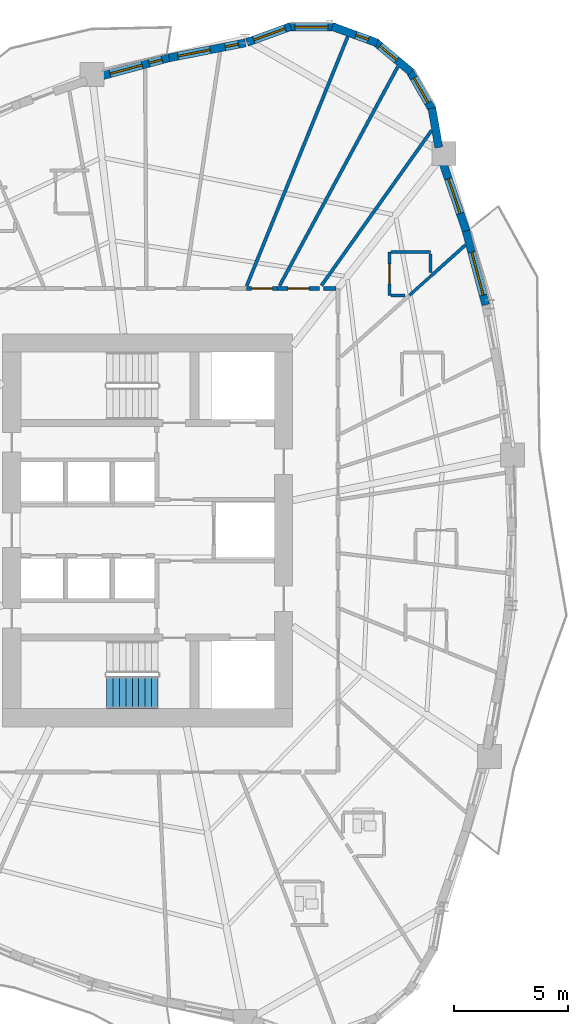
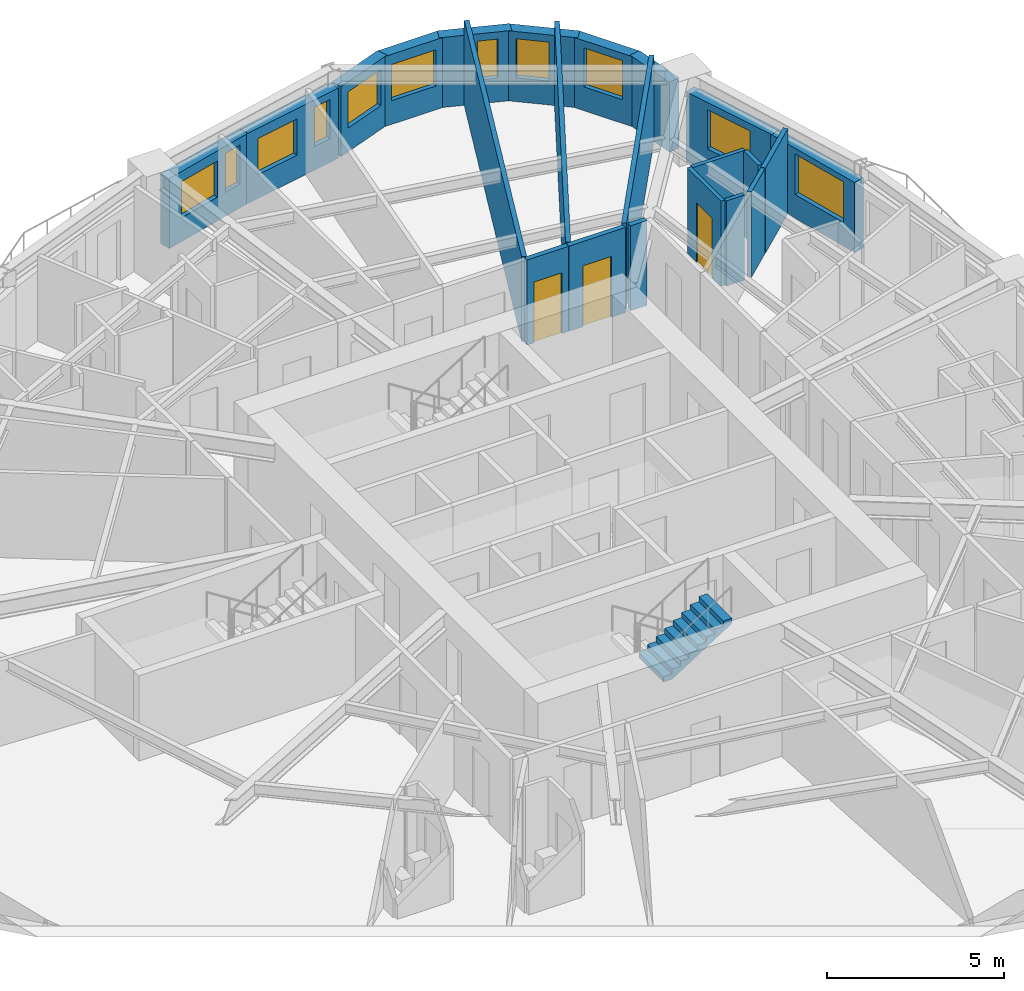
# One storey, part 9 of 14: 22 walls, 11 windows, 3 doors, 1 stair flight, 14 openings, 1 element without a shape of its own.
"""IFC4 building model written with IfcOpenShell, lengths in metres."""

from ifc_helpers import new_model, si_unit, direction, frame, frame_2d, origin, place, context, subcontext, project, spatial, polyline, rectangle, outline, extrude, source, transform, mapped, material, layer, layer_set, type_object, element, fill, aggregate, save


model = new_model("IFC4")

# Units and contexts
model_context = context("Model", 3, precision=1e-05, world=origin(), true_north=direction((0.0, 1.0)))
body_context = subcontext(model_context, "Body", "Model", "MODEL_VIEW")
ifc_project = project(units=[si_unit("LENGTHUNIT", "METRE"), si_unit("AREAUNIT", "SQUARE_METRE"), si_unit("VOLUMEUNIT", "CUBIC_METRE"), si_unit("PLANEANGLEUNIT", "RADIAN"), si_unit("MASSUNIT", "GRAM", prefix="KILO")], contexts=[model_context])

# Site, building, storey
site_placement = place(None, origin())
site = spatial("IfcSite", under=ifc_project, at=site_placement, CompositionType="ELEMENT")
building_placement = place(site_placement, origin())
building = spatial("IfcBuilding", under=site, at=building_placement, Name="Qafzar Sky-Pleat Residences", CompositionType="ELEMENT")
storey_placement = place(building_placement, frame((0.0, 0.0, 39.800048828125)))
storey = spatial("IfcBuildingStorey", under=building, at=storey_placement, Name="L11", CompositionType="ELEMENT", Elevation=39.800048828125)

# Wall, opening, door
ifc_material_1 = material(Name="Acoustic gypsum plasterboard partition", Category="gypsum")
ifc_layer_1 = layer(ifc_material_1, 0.159912109375)
ifc_layer_set_1 = layer_set([ifc_layer_1], Name="Acoustic gypsum plasterboard partition")
wall_type_1 = type_object("IfcWallType", Name="PART-COR-160", PredefinedType="PARTITIONING", material=ifc_layer_set_1)
wall_1_placement = place(storey_placement, frame((36.0419921875, 36.580078125, 0.0), z_axis=(0.0, 0.0, 1.0), x_axis=(1.0, 0.0, 0.0)))
wall_1 = element("IfcWall", 1, at=wall_1_placement, inside=storey, type_object=wall_type_1, Name="L11 Partition Wall PART-L11-PW-029", PredefinedType="PARTITIONING", context=body_context, shape_type="SweptSolid", body=[
    extrude(rectangle(XDim=1.840087890625, YDim=0.159912109375, at=frame_2d((0.919921875, 0.0))), origin(), (0.0, 0.0, 1.0), 2.93994140625),
])
opening_1_placement = place(wall_1_placement, frame((0.45947265625, 0.0, 0.0)))
opening_1 = element("IfcOpeningElement", 2, at=opening_1_placement, cuts=wall_1, Name="Opening ID-04", PredefinedType="OPENING", context=body_context, shape_type="SweptSolid", body=[
    extrude(rectangle(XDim=0.919921875, YDim=2.10009765625, at=frame_2d((0.4599609375, 1.050048828125))), frame((0.0, 0.08984375, 0.0), z_axis=(0.0, -1.0, 0.0), x_axis=(1.0, 0.0, 0.0)), (0.0, 0.0, 1.0), 0.179931640625),
])
ifc_material_2 = material(Name="Timber-faced fire door", Category="wood")
door_type_1 = type_object("IfcDoorType", Name="DR-BED-920", OperationType="NOTDEFINED", PredefinedType="DOOR", material=ifc_material_2)
shared_shape_1 = source(origin(), body_context, "Body", "SweptSolid", [
    extrude(rectangle(XDim=0.919921875, YDim=2.10009765625, at=frame_2d((0.4599609375, 1.050048828125))), frame((0.0, 0.02490234375, 0.0), z_axis=(0.0, -1.0, 0.0), x_axis=(1.0, 0.0, 0.0)), (0.0, 0.0, 1.0), 0.050048828125),
])
door_1_placement = place(opening_1_placement, origin())
door_1 = element("IfcDoor", 3, at=door_1_placement, inside=storey, type_object=door_type_1, Name="L11 Co-Living Bedroom 10 Door", OperationType="SINGLE_SWING_RIGHT", OverallHeight=2.10009765625, OverallWidth=0.919921875, PredefinedType="DOOR", context=body_context, shape_type="MappedRepresentation", body=[
    mapped(shared_shape_1, transform((0.0, 0.0, 0.0), x_axis=(1.0, 0.0, 0.0), y_axis=(0.0, 1.0, 0.0), z_axis=(0.0, 0.0, 1.0), scale=1.0)),
])
fill(opening_1, door_1)

wall_2_placement = place(storey_placement, frame((34.6708984375, 36.580078125, 0.0), z_axis=(0.0, 0.0, 1.0), x_axis=(1.0, 0.0, 0.0)))
wall_2 = element("IfcWall", 4, at=wall_2_placement, inside=storey, type_object=wall_type_1, Name="L11 Partition Wall PART-L11-PW-034", PredefinedType="PARTITIONING", context=body_context, shape_type="SweptSolid", body=[
    extrude(rectangle(XDim=1.356201171875, YDim=0.159912109375, at=frame_2d((0.67822265625, 0.0))), origin(), (0.0, 0.0, 1.0), 2.93994140625),
])
opening_2_placement = place(wall_2_placement, frame((0.218017578125, 0.0, 0.0)))
opening_2 = element("IfcOpeningElement", 5, at=opening_2_placement, cuts=wall_2, Name="Opening ID-04", PredefinedType="OPENING", context=body_context, shape_type="SweptSolid", body=[
    extrude(rectangle(XDim=0.919921875, YDim=2.10009765625, at=frame_2d((0.4599609375, 1.050048828125))), frame((0.0, 0.08984375, 0.0), z_axis=(0.0, -1.0, 0.0), x_axis=(1.0, 0.0, 0.0)), (0.0, 0.0, 1.0), 0.179931640625),
])
door_2_placement = place(opening_2_placement, origin())
door_2 = element("IfcDoor", 6, at=door_2_placement, inside=storey, type_object=door_type_1, Name="L11 Co-Living Bedroom 9 Door", OperationType="SINGLE_SWING_LEFT", OverallHeight=2.10009765625, OverallWidth=0.919921875, PredefinedType="DOOR", context=body_context, shape_type="MappedRepresentation", body=[
    mapped(shared_shape_1, transform((0.0, 0.0, 0.0), x_axis=(1.0, 0.0, 0.0), y_axis=(0.0, 1.0, 0.0), z_axis=(0.0, 0.0, 1.0), scale=1.0)),
])
fill(opening_2, door_2)

# Walls
wall_3_placement = place(storey_placement, frame((38.05078125, 36.580078125, 0.0), z_axis=(0.0, 0.0, 1.0), x_axis=(1.0, 0.0, 0.0)))
element("IfcWall", 7, at=wall_3_placement, inside=storey, type_object=wall_type_1, Name="L11 Partition Wall PART-L11-PW-105", PredefinedType="PARTITIONING", context=body_context, shape_type="SweptSolid", body=[
    extrude(rectangle(XDim=0.541259765625, YDim=0.159912109375, at=frame_2d((0.2705078125, 0.0))), origin(), (0.0, 0.0, 1.0), 2.93994140625),
])
ifc_layer_2 = layer(ifc_material_1, 0.14501953125)
ifc_layer_set_2 = layer_set([ifc_layer_2], Name="Acoustic gypsum plasterboard partition")
wall_type_2 = type_object("IfcWallType", Name="PART-UNIT-145", PredefinedType="PARTITIONING", material=ifc_layer_set_2)
wall_4_placement = place(storey_placement, frame((34.685546875, 36.694580078125, 0.0), z_axis=(0.0, 0.0, 1.0), x_axis=(0.375735926904, 0.926726773776, 0.0)))
element("IfcWall", 8, at=wall_4_placement, inside=storey, type_object=wall_type_2, Name="L11 Partition Wall PART-L11-PW-036", PredefinedType="PARTITIONING", context=body_context, shape_type="SweptSolid", body=[
    extrude(rectangle(XDim=11.7685546875, YDim=0.14501953125, at=frame_2d((5.88427734375, 0.0))), origin(), (0.0, 0.0, 1.0), 2.93994140625),
])
wall_5_placement = place(storey_placement, frame((36.12451171875, 36.701416015625, 0.0), z_axis=(0.0, 0.0, 1.0), x_axis=(0.474948586069, 0.880013545686, 0.0)))
element("IfcWall", 9, at=wall_5_placement, inside=storey, type_object=wall_type_2, Name="L11 Partition Wall PART-L11-PW-038", PredefinedType="PARTITIONING", context=body_context, shape_type="SweptSolid", body=[
    extrude(rectangle(XDim=10.889404296875, YDim=0.14501953125, at=frame_2d((5.44482421875, 0.0))), origin(), (0.0, 0.0, 1.0), 2.93994140625),
])
wall_6_placement = place(storey_placement, frame((37.955078125, 36.70849609375, 0.0), z_axis=(0.0, 0.0, 1.0), x_axis=(0.578991718582, 0.81533342248, 0.0)))
element("IfcWall", 10, at=wall_6_placement, inside=storey, type_object=wall_type_2, Name="L11 Partition Wall PART-L11-PW-044", PredefinedType="PARTITIONING", context=body_context, shape_type="SweptSolid", body=[
    extrude(rectangle(XDim=8.324951171875, YDim=0.14501953125, at=frame_2d((4.16259765625, 0.0))), origin(), (0.0, 0.0, 1.0), 2.93994140625),
])
wall_7_placement = place(storey_placement, frame((42.73388671875, 37.114013671875, 0.0), z_axis=(0.0, 0.0, 1.0), x_axis=(0.743962922365, 0.668220899214, 0.0)))
element("IfcWall", 11, at=wall_7_placement, inside=storey, type_object=wall_type_2, Name="L11 Partition Wall PART-L11-PW-069", PredefinedType="PARTITIONING", context=body_context, shape_type="SweptSolid", body=[
    extrude(rectangle(XDim=2.050048828125, YDim=0.14501953125, at=frame_2d((1.02490234375, 0.0))), origin(), (0.0, 0.0, 1.0), 2.93994140625),
])

# Wall, opening, door
ifc_material_3 = material(Name="Moisture-resistant gypsum partition", Category="gypsum")
ifc_layer_3 = layer(ifc_material_3, 0.1298828125)
ifc_layer_set_3 = layer_set([ifc_layer_3], Name="Moisture-resistant gypsum partition")
wall_type_3 = type_object("IfcWallType", Name="PART-WET-130", PredefinedType="PARTITIONING", material=ifc_layer_set_3)
wall_8_placement = place(storey_placement, frame((40.93408203125, 38.172119140625, 0.0), z_axis=(0.0, 0.0, 1.0), x_axis=(0.0, -1.0, 0.0)))
wall_8 = element("IfcWall", 12, at=wall_8_placement, inside=storey, type_object=wall_type_3, Name="L11 Partition Wall PART-L11-PW-025", PredefinedType="PARTITIONING", context=body_context, shape_type="SweptSolid", body=[
    extrude(rectangle(XDim=1.900146484375, YDim=0.1298828125, at=frame_2d((0.9501953125, 0.0))), origin(), (0.0, 0.0, 1.0), 2.93994140625),
])
opening_3_placement = place(wall_8_placement, frame((0.510009765625, 0.0, 0.0)))
opening_3 = element("IfcOpeningElement", 13, at=opening_3_placement, cuts=wall_8, Name="Opening ID-07", PredefinedType="OPENING", context=body_context, shape_type="SweptSolid", body=[
    extrude(rectangle(XDim=0.8798828125, YDim=2.050048828125, at=frame_2d((0.43994140625, 1.02490234375))), frame((0.0, 0.074951171875, 0.0), z_axis=(0.0, -1.0, 0.0), x_axis=(1.0, 0.0, 0.0)), (0.0, 0.0, 1.0), 0.14990234375),
])
door_type_2 = type_object("IfcDoorType", Name="DR-WET-880", OperationType="NOTDEFINED", PredefinedType="DOOR", material=ifc_material_2)
shared_shape_2 = source(origin(), body_context, "Body", "SweptSolid", [
    extrude(rectangle(XDim=0.8798828125, YDim=2.050048828125, at=frame_2d((0.43994140625, 1.02490234375))), frame((0.0, 0.02490234375, 0.0), z_axis=(0.0, -1.0, 0.0), x_axis=(1.0, 0.0, 0.0)), (0.0, 0.0, 1.0), 0.050048828125),
])
door_3_placement = place(opening_3_placement, origin())
door_3 = element("IfcDoor", 14, at=door_3_placement, inside=storey, type_object=door_type_2, Name="L11 En-suite Bathroom 7 Door", OperationType="SINGLE_SWING_RIGHT", OverallHeight=2.050048828125, OverallWidth=0.8798828125, PredefinedType="DOOR", context=body_context, shape_type="MappedRepresentation", body=[
    mapped(shared_shape_2, transform((0.0, 0.0, 0.0), x_axis=(1.0, 0.0, 0.0), y_axis=(0.0, 1.0, 0.0), z_axis=(0.0, 0.0, 1.0), scale=1.0)),
])
fill(opening_3, door_3)

# Walls
wall_9_placement = place(storey_placement, frame((41.007080078125, 38.172119140625, 0.0), z_axis=(0.0, 0.0, 1.0), x_axis=(1.0, 0.0, 0.0)))
element("IfcWall", 15, at=wall_9_placement, inside=storey, type_object=wall_type_3, Name="L11 Partition Wall PART-L11-PW-076", PredefinedType="PARTITIONING", context=body_context, shape_type="SweptSolid", body=[
    extrude(rectangle(XDim=1.726806640625, YDim=0.1298828125, at=frame_2d((0.86328125, 0.0))), origin(), (0.0, 0.0, 1.0), 2.93994140625),
])
wall_10_placement = place(storey_placement, frame((41.80615234375, 36.281982421875, 0.0), z_axis=(0.0, 0.0, 1.0), x_axis=(0.744525261569, 0.667594289135, 0.0)))
element("IfcWall", 16, at=wall_10_placement, inside=storey, type_object=wall_type_3, Name="L11 Partition Wall PART-L11-PW-094", PredefinedType="PARTITIONING", context=body_context, shape_type="SweptSolid", body=[
    extrude(rectangle(XDim=1.231201171875, YDim=0.1298828125, at=frame_2d((0.61572265625, 0.0))), origin(), (0.0, 0.0, 1.0), 2.93994140625),
])
wall_11_placement = place(storey_placement, frame((42.73388671875, 37.27783203125, 0.0), z_axis=(0.0, 0.0, 1.0), x_axis=(0.0, 1.0, 0.0)))
element("IfcWall", 17, at=wall_11_placement, inside=storey, type_object=wall_type_3, Name="L11 Partition Wall PART-L11-PW-101", PredefinedType="PARTITIONING", context=body_context, shape_type="SweptSolid", body=[
    extrude(rectangle(XDim=0.8212890625, YDim=0.1298828125, at=frame_2d((0.41064453125, 0.0))), origin(), (0.0, 0.0, 1.0), 2.93994140625),
])
wall_12_placement = place(storey_placement, frame((41.007080078125, 36.27197265625, 0.0), z_axis=(0.0, 0.0, 1.0), x_axis=(1.0, 0.0, 0.0)))
element("IfcWall", 18, at=wall_12_placement, inside=storey, type_object=wall_type_3, Name="L11 Partition Wall PART-L11-PW-103", PredefinedType="PARTITIONING", context=body_context, shape_type="SweptSolid", body=[
    extrude(rectangle(XDim=0.598876953125, YDim=0.1298828125, at=frame_2d((0.29931640625, 0.0))), origin(), (0.0, 0.0, 1.0), 2.93994140625),
])

# Wall, opening, window
ifc_material_4 = material(Name="Precast concrete C40/50 with honed Riyadh limestone", Category="concrete")
ifc_layer_4 = layer(ifc_material_4, 0.35009765625)
ifc_layer_set_4 = layer_set([ifc_layer_4], Name="Precast concrete C40/50 with honed Riyadh limestone")
wall_type_4 = type_object("IfcWallType", Name="WALL-EXT-350", PredefinedType="SOLIDWALL", material=ifc_layer_set_4)
wall_13_placement = place(storey_placement, frame((45.147705078125, 35.865234375, 0.0), z_axis=(0.0, 0.0, 1.0), x_axis=(-0.257064434129, 0.966394265663, 0.0)))
wall_13 = element("IfcWall", 19, at=wall_13_placement, inside=storey, type_object=wall_type_4, Name="L11 Limestone Facade Wall 31", PredefinedType="SOLIDWALL", context=body_context, shape_type="SweptSolid", body=[
    extrude(rectangle(XDim=3.429443359375, YDim=0.35009765625, at=frame_2d((1.71484375, 0.0))), origin(), (0.0, 0.0, 1.0), 2.419921875),
])
opening_4_placement = place(wall_13_placement, frame((0.439697265625, 0.0, 0.820068359375)))
opening_4 = element("IfcOpeningElement", 20, at=opening_4_placement, cuts=wall_13, Name="Opening WN-08", PredefinedType="OPENING", context=body_context, shape_type="SweptSolid", body=[
    extrude(rectangle(XDim=1.949951171875, YDim=1.39990234375, at=frame_2d((0.97509765625, 0.699951171875))), frame((0.0, 0.18505859375, 0.0), z_axis=(0.0, -1.0, 0.0), x_axis=(1.0, 0.0, 0.0)), (0.0, 0.0, 1.0), 0.3701171875),
])
ifc_material_5 = material(Name="Solar-control low-E glass in bronze aluminium frame", Category="glass")
window_type_1 = type_object("IfcWindowType", Name="WIN-08", PartitioningType="DOUBLE_PANEL_VERTICAL", PredefinedType="WINDOW", material=ifc_material_5)
shared_shape_3 = source(origin(), body_context, "Body", "SweptSolid", [
    extrude(rectangle(XDim=1.949951171875, YDim=1.39990234375, at=frame_2d((0.97509765625, 0.699951171875))), frame((0.0, 0.030029296875, 0.0), z_axis=(0.0, -1.0, 0.0), x_axis=(1.0, 0.0, 0.0)), (0.0, 0.0, 1.0), 0.06005859375),
])
window_1_placement = place(opening_4_placement, origin())
window_1 = element("IfcWindow", 21, at=window_1_placement, inside=storey, type_object=window_type_1, Name="L11 Punched Facade Window 31", OverallHeight=1.39990234375, OverallWidth=1.949951171875, PartitioningType="SINGLE_PANEL", PredefinedType="WINDOW", context=body_context, shape_type="MappedRepresentation", body=[
    mapped(shared_shape_3, transform((0.0, 0.0, 0.0), x_axis=(1.0, 0.0, 0.0), y_axis=(0.0, 1.0, 0.0), z_axis=(0.0, 0.0, 1.0), scale=1.0)),
])
fill(opening_4, window_1)

wall_14_placement = place(storey_placement, frame((44.291748046875, 39.09521484375, 0.0), z_axis=(0.0, 0.0, 1.0), x_axis=(-0.323582370233, 0.946200005112, 0.0)))
wall_14 = element("IfcWall", 22, at=wall_14_placement, inside=storey, type_object=wall_type_4, Name="L11 Limestone Facade Wall 32", PredefinedType="SOLIDWALL", context=body_context, shape_type="SweptSolid", body=[
    extrude(rectangle(XDim=3.222412109375, YDim=0.35009765625, at=frame_2d((1.611328125, 0.0))), origin(), (0.0, 0.0, 1.0), 2.419921875),
])
opening_5_placement = place(wall_14_placement, frame((0.816162109375, 0.0, 0.820068359375)))
opening_5 = element("IfcOpeningElement", 23, at=opening_5_placement, cuts=wall_14, Name="Opening WN-09", PredefinedType="OPENING", context=body_context, shape_type="SweptSolid", body=[
    extrude(rectangle(XDim=1.60009765625, YDim=1.35009765625, at=frame_2d((0.800048828125, 0.675048828125))), frame((0.0, 0.18505859375, 0.0), z_axis=(0.0, -1.0, 0.0), x_axis=(1.0, 0.0, 0.0)), (0.0, 0.0, 1.0), 0.3701171875),
])
window_type_2 = type_object("IfcWindowType", Name="WIN-09", PartitioningType="DOUBLE_PANEL_VERTICAL", PredefinedType="WINDOW", material=ifc_material_5)
shared_shape_4 = source(origin(), body_context, "Body", "SweptSolid", [
    extrude(rectangle(XDim=1.60009765625, YDim=1.35009765625, at=frame_2d((0.800048828125, 0.675048828125))), frame((0.0, 0.030029296875, 0.0), z_axis=(0.0, -1.0, 0.0), x_axis=(1.0, 0.0, 0.0)), (0.0, 0.0, 1.0), 0.06005859375),
])
window_2_placement = place(opening_5_placement, origin())
window_2 = element("IfcWindow", 24, at=window_2_placement, inside=storey, type_object=window_type_2, Name="L11 Punched Facade Window 32", OverallHeight=1.35009765625, OverallWidth=1.60009765625, PartitioningType="SINGLE_PANEL", PredefinedType="WINDOW", context=body_context, shape_type="MappedRepresentation", body=[
    mapped(shared_shape_4, transform((0.0, 0.0, 0.0), x_axis=(1.0, 0.0, 0.0), y_axis=(0.0, 1.0, 0.0), z_axis=(0.0, 0.0, 1.0), scale=1.0)),
])
fill(opening_5, window_2)

# Wall
wall_15_placement = place(storey_placement, frame((43.093017578125, 42.75, 0.0), z_axis=(0.0, 0.0, 1.0), x_axis=(-0.173610462023, 0.984814402553, 0.0)))
element("IfcWall", 25, at=wall_15_placement, inside=storey, type_object=wall_type_4, Name="L11 Limestone Facade Wall 33", PredefinedType="SOLIDWALL", context=body_context, shape_type="SweptSolid", body=[
    extrude(rectangle(XDim=1.752197265625, YDim=0.35009765625, at=frame_2d((0.8759765625, 0.0))), origin(), (0.0, 0.0, 1.0), 2.419921875),
])

# Wall, opening, window
wall_16_placement = place(storey_placement, frame((42.835205078125, 44.34814453125, 0.0), z_axis=(0.0, 0.0, 1.0), x_axis=(-0.499995423472, 0.866028046028, 0.0)))
wall_16 = element("IfcWall", 26, at=wall_16_placement, inside=storey, type_object=wall_type_4, Name="L11 Limestone Facade Wall 34", PredefinedType="SOLIDWALL", context=body_context, shape_type="SweptSolid", body=[
    extrude(rectangle(XDim=2.09033203125, YDim=0.35009765625, at=frame_2d((1.045166015625, 0.0))), origin(), (0.0, 0.0, 1.0), 2.419921875),
])
opening_6_placement = place(wall_16_placement, frame((0.420166015625, 0.0, 0.820068359375)))
opening_6 = element("IfcOpeningElement", 27, at=opening_6_placement, cuts=wall_16, Name="Opening WN-11", PredefinedType="OPENING", context=body_context, shape_type="SweptSolid", body=[
    extrude(rectangle(XDim=1.25, YDim=1.35009765625, at=frame_2d((0.625, 0.675048828125))), frame((0.0, 0.18505859375, 0.0), z_axis=(0.0, -1.0, 0.0), x_axis=(1.0, 0.0, 0.0)), (0.0, 0.0, 1.0), 0.3701171875),
])
window_type_3 = type_object("IfcWindowType", Name="WIN-11", PartitioningType="SINGLE_PANEL", PredefinedType="WINDOW", material=ifc_material_5)
shared_shape_5 = source(origin(), body_context, "Body", "SweptSolid", [
    extrude(rectangle(XDim=1.25, YDim=1.35009765625, at=frame_2d((0.625, 0.675048828125))), frame((0.0, 0.030029296875, 0.0), z_axis=(0.0, -1.0, 0.0), x_axis=(1.0, 0.0, 0.0)), (0.0, 0.0, 1.0), 0.06005859375),
])
window_3_placement = place(opening_6_placement, origin())
window_3 = element("IfcWindow", 28, at=window_3_placement, inside=storey, type_object=window_type_3, Name="L11 Punched Facade Window 34", OverallHeight=1.35009765625, OverallWidth=1.25, PartitioningType="SINGLE_PANEL", PredefinedType="WINDOW", context=body_context, shape_type="MappedRepresentation", body=[
    mapped(shared_shape_5, transform((0.0, 0.0, 0.0), x_axis=(1.0, 0.0, 0.0), y_axis=(0.0, 1.0, 0.0), z_axis=(0.0, 0.0, 1.0), scale=1.0)),
])
fill(opening_6, window_3)

wall_17_placement = place(storey_placement, frame((41.877197265625, 46.054443359375, 0.0), z_axis=(0.0, 0.0, 1.0), x_axis=(-0.766024572719, 0.642811289563, 0.0)))
wall_17 = element("IfcWall", 29, at=wall_17_placement, inside=storey, type_object=wall_type_4, Name="L11 Limestone Facade Wall 35", PredefinedType="SOLIDWALL", context=body_context, shape_type="SweptSolid", body=[
    extrude(rectangle(XDim=2.09033203125, YDim=0.35009765625, at=frame_2d((1.045166015625, 0.0))), origin(), (0.0, 0.0, 1.0), 2.419921875),
])
opening_7_placement = place(wall_17_placement, frame((0.82080078125, 0.0, 0.820068359375)))
opening_7 = element("IfcOpeningElement", 30, at=opening_7_placement, cuts=wall_17, Name="Opening WN-12", PredefinedType="OPENING", context=body_context, shape_type="SweptSolid", body=[
    extrude(rectangle(XDim=0.949951171875, YDim=1.35009765625, at=frame_2d((0.47509765625, 0.675048828125))), frame((0.0, 0.18505859375, 0.0), z_axis=(0.0, -1.0, 0.0), x_axis=(1.0, 0.0, 0.0)), (0.0, 0.0, 1.0), 0.3701171875),
])
window_type_4 = type_object("IfcWindowType", Name="WIN-12", PartitioningType="SINGLE_PANEL", PredefinedType="WINDOW", material=ifc_material_5)
shared_shape_6 = source(origin(), body_context, "Body", "SweptSolid", [
    extrude(rectangle(XDim=0.949951171875, YDim=1.35009765625, at=frame_2d((0.47509765625, 0.675048828125))), frame((0.0, 0.030029296875, 0.0), z_axis=(0.0, -1.0, 0.0), x_axis=(1.0, 0.0, 0.0)), (0.0, 0.0, 1.0), 0.06005859375),
])
window_4_placement = place(opening_7_placement, origin())
window_4 = element("IfcWindow", 31, at=window_4_placement, inside=storey, type_object=window_type_4, Name="L11 Punched Facade Window 35-2", OverallHeight=1.35009765625, OverallWidth=0.949951171875, PartitioningType="SINGLE_PANEL", PredefinedType="WINDOW", context=body_context, shape_type="MappedRepresentation", body=[
    mapped(shared_shape_6, transform((0.0, 0.0, 0.0), x_axis=(1.0, 0.0, 0.0), y_axis=(0.0, 1.0, 0.0), z_axis=(0.0, 0.0, 1.0), scale=1.0)),
])
fill(opening_7, window_4)

wall_18_placement = place(storey_placement, frame((40.393310546875, 47.330322265625, 0.0), z_axis=(0.0, 0.0, 1.0), x_axis=(-0.939660353162, 0.342108784886, 0.0)))
wall_18 = element("IfcWall", 32, at=wall_18_placement, inside=storey, type_object=wall_type_4, Name="L11 Limestone Facade Wall 36", PredefinedType="SOLIDWALL", context=body_context, shape_type="SweptSolid", body=[
    extrude(rectangle(XDim=2.09033203125, YDim=0.35009765625, at=frame_2d((1.045166015625, 0.0))), origin(), (0.0, 0.0, 1.0), 2.419921875),
])
opening_8_placement = place(wall_18_placement, frame((0.40869140625, 0.0, 0.820068359375)))
opening_8 = element("IfcOpeningElement", 33, at=opening_8_placement, cuts=wall_18, Name="Opening WN-17", PredefinedType="OPENING", context=body_context, shape_type="SweptSolid", body=[
    extrude(rectangle(XDim=0.580078125, YDim=1.35009765625, at=frame_2d((0.2900390625, 0.675048828125))), frame((0.0, 0.18505859375, 0.0), z_axis=(0.0, -1.0, 0.0), x_axis=(1.0, 0.0, 0.0)), (0.0, 0.0, 1.0), 0.3701171875),
])
window_type_5 = type_object("IfcWindowType", Name="WIN-17", PartitioningType="SINGLE_PANEL", PredefinedType="WINDOW", material=ifc_material_5)
shared_shape_7 = source(origin(), body_context, "Body", "SweptSolid", [
    extrude(rectangle(XDim=0.580078125, YDim=1.35009765625, at=frame_2d((0.2900390625, 0.675048828125))), frame((0.0, 0.030029296875, 0.0), z_axis=(0.0, -1.0, 0.0), x_axis=(1.0, 0.0, 0.0)), (0.0, 0.0, 1.0), 0.06005859375),
])
window_5_placement = place(opening_8_placement, origin())
window_5 = element("IfcWindow", 34, at=window_5_placement, inside=storey, type_object=window_type_5, Name="L11 Punched Facade Window 36", OverallHeight=1.35009765625, OverallWidth=0.580078125, PartitioningType="SINGLE_PANEL", PredefinedType="WINDOW", context=body_context, shape_type="MappedRepresentation", body=[
    mapped(shared_shape_7, transform((0.0, 0.0, 0.0), x_axis=(1.0, 0.0, 0.0), y_axis=(0.0, 1.0, 0.0), z_axis=(0.0, 0.0, 1.0), scale=1.0)),
])
fill(opening_8, window_5)

wall_19_placement = place(storey_placement, frame((38.562744140625, 48.021728515625, 0.0), z_axis=(0.0, 0.0, 1.0), x_axis=(-1.0, 0.0, 0.0)))
wall_19 = element("IfcWall", 35, at=wall_19_placement, inside=storey, type_object=wall_type_4, Name="L11 Limestone Facade Wall 37", PredefinedType="SOLIDWALL", context=body_context, shape_type="SweptSolid", body=[
    extrude(rectangle(XDim=2.09033203125, YDim=0.35009765625, at=frame_2d((1.045166015625, 0.0))), origin(), (0.0, 0.0, 1.0), 2.419921875),
])
opening_9_placement = place(wall_19_placement, frame((0.3203125, 0.0, 0.820068359375)))
opening_9 = element("IfcOpeningElement", 36, at=opening_9_placement, cuts=wall_19, Name="Opening WN-15", PredefinedType="OPENING", context=body_context, shape_type="SweptSolid", body=[
    extrude(rectangle(XDim=1.449951171875, YDim=1.25, at=frame_2d((0.72509765625, 0.625))), frame((0.0, 0.18505859375, 0.0), z_axis=(0.0, -1.0, 0.0), x_axis=(1.0, 0.0, 0.0)), (0.0, 0.0, 1.0), 0.3701171875),
])
window_type_6 = type_object("IfcWindowType", Name="WIN-15", PartitioningType="SINGLE_PANEL", PredefinedType="WINDOW", material=ifc_material_5)
shared_shape_8 = source(origin(), body_context, "Body", "SweptSolid", [
    extrude(rectangle(XDim=1.449951171875, YDim=1.25, at=frame_2d((0.72509765625, 0.625))), frame((0.0, 0.030029296875, 0.0), z_axis=(0.0, -1.0, 0.0), x_axis=(1.0, 0.0, 0.0)), (0.0, 0.0, 1.0), 0.06005859375),
])
window_6_placement = place(opening_9_placement, origin())
window_6 = element("IfcWindow", 37, at=window_6_placement, inside=storey, type_object=window_type_6, Name="L11 Punched Facade Window 37", OverallHeight=1.25, OverallWidth=1.449951171875, PartitioningType="SINGLE_PANEL", PredefinedType="WINDOW", context=body_context, shape_type="MappedRepresentation", body=[
    mapped(shared_shape_8, transform((0.0, 0.0, 0.0), x_axis=(1.0, 0.0, 0.0), y_axis=(0.0, 1.0, 0.0), z_axis=(0.0, 0.0, 1.0), scale=1.0)),
])
fill(opening_9, window_6)

wall_20_placement = place(storey_placement, frame((36.60595703125, 48.04541015625, 0.0), z_axis=(0.0, 0.0, 1.0), x_axis=(-0.939653047052, -0.342128851701, 0.0)))
wall_20 = element("IfcWall", 38, at=wall_20_placement, inside=storey, type_object=wall_type_4, Name="L11 Limestone Facade Wall 38", PredefinedType="SOLIDWALL", context=body_context, shape_type="SweptSolid", body=[
    extrude(rectangle(XDim=2.0322265625, YDim=0.35009765625, at=frame_2d((1.01611328125, 0.0))), origin(), (0.0, 0.0, 1.0), 2.419921875),
])
opening_10_placement = place(wall_20_placement, frame((0.26123046875, 0.0, 0.820068359375)))
opening_10 = element("IfcOpeningElement", 39, at=opening_10_placement, cuts=wall_20, Name="Opening WN-15", PredefinedType="OPENING", context=body_context, shape_type="SweptSolid", body=[
    extrude(rectangle(XDim=1.449951171875, YDim=1.25, at=frame_2d((0.72509765625, 0.625))), frame((0.0, 0.18505859375, 0.0), z_axis=(0.0, -1.0, 0.0), x_axis=(1.0, 0.0, 0.0)), (0.0, 0.0, 1.0), 0.3701171875),
])
window_7_placement = place(opening_10_placement, origin())
window_7 = element("IfcWindow", 40, at=window_7_placement, inside=storey, type_object=window_type_6, Name="L11 Punched Facade Window 38", OverallHeight=1.25, OverallWidth=1.449951171875, PartitioningType="SINGLE_PANEL", PredefinedType="WINDOW", context=body_context, shape_type="MappedRepresentation", body=[
    mapped(shared_shape_8, transform((0.0, 0.0, 0.0), x_axis=(1.0, 0.0, 0.0), y_axis=(0.0, 1.0, 0.0), z_axis=(0.0, 0.0, 1.0), scale=1.0)),
])
fill(opening_10, window_7)

# Wall, openings, windows
wall_21_placement = place(storey_placement, frame((34.631591796875, 47.33203125, 0.0), z_axis=(0.0, 0.0, 1.0), x_axis=(-0.981234691866, -0.192817217796, 0.0)))
wall_21 = element("IfcWall", 41, at=wall_21_placement, inside=storey, type_object=wall_type_4, Name="L11 Limestone Facade Wall 39", PredefinedType="SOLIDWALL", context=body_context, shape_type="SweptSolid", body=[
    extrude(rectangle(XDim=3.502197265625, YDim=0.35009765625, at=frame_2d((1.7509765625, 0.0))), origin(), (0.0, 0.0, 1.0), 2.419921875),
])
opening_11_placement = place(wall_21_placement, frame((0.321044921875, 0.0, 0.820068359375)))
opening_11 = element("IfcOpeningElement", 42, at=opening_11_placement, cuts=wall_21, Name="Opening WN-17", PredefinedType="OPENING", context=body_context, shape_type="SweptSolid", body=[
    extrude(rectangle(XDim=0.580078125, YDim=1.35009765625, at=frame_2d((0.2900390625, 0.675048828125))), frame((0.0, 0.18505859375, 0.0), z_axis=(0.0, -1.0, 0.0), x_axis=(1.0, 0.0, 0.0)), (0.0, 0.0, 1.0), 0.3701171875),
])
opening_12_placement = place(wall_21_placement, frame((1.5673828125, 0.0, 0.820068359375)))
opening_12 = element("IfcOpeningElement", 43, at=opening_12_placement, cuts=wall_21, Name="Opening WN-15", PredefinedType="OPENING", context=body_context, shape_type="SweptSolid", body=[
    extrude(rectangle(XDim=1.449951171875, YDim=1.25, at=frame_2d((0.72509765625, 0.625))), frame((0.0, 0.18505859375, 0.0), z_axis=(0.0, -1.0, 0.0), x_axis=(1.0, 0.0, 0.0)), (0.0, 0.0, 1.0), 0.3701171875),
])
window_8_placement = place(opening_12_placement, origin())
window_8 = element("IfcWindow", 44, at=window_8_placement, inside=storey, type_object=window_type_6, Name="L11 Punched Facade Window 39-2", OverallHeight=1.25, OverallWidth=1.449951171875, PartitioningType="SINGLE_PANEL", PredefinedType="WINDOW", context=body_context, shape_type="MappedRepresentation", body=[
    mapped(shared_shape_8, transform((0.0, 0.0, 0.0), x_axis=(1.0, 0.0, 0.0), y_axis=(0.0, 1.0, 0.0), z_axis=(0.0, 0.0, 1.0), scale=1.0)),
])
fill(opening_12, window_8)
window_9_placement = place(opening_11_placement, origin())
window_9 = element("IfcWindow", 45, at=window_9_placement, inside=storey, type_object=window_type_5, Name="L11 Punched Facade Window 39", OverallHeight=1.35009765625, OverallWidth=0.580078125, PartitioningType="SINGLE_PANEL", PredefinedType="WINDOW", context=body_context, shape_type="MappedRepresentation", body=[
    mapped(shared_shape_7, transform((0.0, 0.0, 0.0), x_axis=(1.0, 0.0, 0.0), y_axis=(0.0, 1.0, 0.0), z_axis=(0.0, 0.0, 1.0), scale=1.0)),
])
fill(opening_11, window_9)

wall_22_placement = place(storey_placement, frame((31.28076171875, 46.6767578125, 0.0), z_axis=(0.0, 0.0, 1.0), x_axis=(-0.965445661484, -0.260604441101, 0.0)))
wall_22 = element("IfcWall", 46, at=wall_22_placement, inside=storey, type_object=wall_type_4, Name="L11 Limestone Facade Wall 40", PredefinedType="SOLIDWALL", context=body_context, shape_type="SweptSolid", body=[
    extrude(rectangle(XDim=3.149658203125, YDim=0.35009765625, at=frame_2d((1.57470703125, 0.0))), origin(), (0.0, 0.0, 1.0), 2.419921875),
])
opening_13_placement = place(wall_22_placement, frame((0.31005859375, 0.0, 0.820068359375)))
opening_13 = element("IfcOpeningElement", 47, at=opening_13_placement, cuts=wall_22, Name="Opening WN-17", PredefinedType="OPENING", context=body_context, shape_type="SweptSolid", body=[
    extrude(rectangle(XDim=0.580078125, YDim=1.35009765625, at=frame_2d((0.2900390625, 0.675048828125))), frame((0.0, 0.18505859375, 0.0), z_axis=(0.0, -1.0, 0.0), x_axis=(1.0, 0.0, 0.0)), (0.0, 0.0, 1.0), 0.3701171875),
])
opening_14_placement = place(wall_22_placement, frame((1.215087890625, 0.0, 0.820068359375)))
opening_14 = element("IfcOpeningElement", 48, at=opening_14_placement, cuts=wall_22, Name="Opening WN-15", PredefinedType="OPENING", context=body_context, shape_type="SweptSolid", body=[
    extrude(rectangle(XDim=1.449951171875, YDim=1.25, at=frame_2d((0.72509765625, 0.625))), frame((0.0, 0.18505859375, 0.0), z_axis=(0.0, -1.0, 0.0), x_axis=(1.0, 0.0, 0.0)), (0.0, 0.0, 1.0), 0.3701171875),
])
window_10_placement = place(opening_14_placement, origin())
window_10 = element("IfcWindow", 49, at=window_10_placement, inside=storey, type_object=window_type_6, Name="L11 Punched Facade Window 40-2", OverallHeight=1.25, OverallWidth=1.449951171875, PartitioningType="SINGLE_PANEL", PredefinedType="WINDOW", context=body_context, shape_type="MappedRepresentation", body=[
    mapped(shared_shape_8, transform((0.0, 0.0, 0.0), x_axis=(1.0, 0.0, 0.0), y_axis=(0.0, 1.0, 0.0), z_axis=(0.0, 0.0, 1.0), scale=1.0)),
])
fill(opening_14, window_10)
window_11_placement = place(opening_13_placement, origin())
window_11 = element("IfcWindow", 50, at=window_11_placement, inside=storey, type_object=window_type_5, Name="L11 Punched Facade Window 40", OverallHeight=1.35009765625, OverallWidth=0.580078125, PartitioningType="SINGLE_PANEL", PredefinedType="WINDOW", context=body_context, shape_type="MappedRepresentation", body=[
    mapped(shared_shape_7, transform((0.0, 0.0, 0.0), x_axis=(1.0, 0.0, 0.0), y_axis=(0.0, 1.0, 0.0), z_axis=(0.0, 0.0, 1.0), scale=1.0)),
])
fill(opening_13, window_11)

# Stair, stair flight
ifc_material_6 = material(Name="Concrete C40/50", Category="concrete")
stair_type = type_object("IfcStairType", Name="STAIR-H320", PredefinedType="HALF_TURN_STAIR", material=ifc_material_6)
stair_placement = place(storey_placement, origin())
stair = element("IfcStair", 51, at=stair_placement, inside=storey, type_object=stair_type, Name="L11 Protected Exit Stair ST1", PredefinedType="HALF_TURN_STAIR")
stair_flight_type = type_object("IfcStairFlightType", Name="FLIGHT-H320", PredefinedType="STRAIGHT", material=ifc_material_6)
shared_shape_9 = source(origin(), body_context, "Body", "SweptSolid", [
    extrude(outline(polyline([(0.0, 0.0), (0.0, 0.177734375), (0.280029296875, 0.177734375), (0.280029296875, 0.35546875), (0.56005859375, 0.35546875), (0.56005859375, 0.533447265625), (0.840087890625, 0.533447265625), (0.840087890625, 0.711181640625), (1.1201171875, 0.711181640625), (1.1201171875, 0.888916015625), (1.39990234375, 0.888916015625), (1.39990234375, 1.066650390625), (1.679931640625, 1.066650390625), (1.679931640625, 1.244384765625), (1.9599609375, 1.244384765625), (1.9599609375, 1.422119140625), (2.239990234375, 1.422119140625), (2.239990234375, 1.60009765625), (2.239990234375, 1.24462890625), (0.27978515625, 0.0), (0.0, 0.0)])), frame((0.0, 0.699951171875, 0.0), z_axis=(0.0, -1.0, 0.0), x_axis=(1.0, 0.0, 0.0)), (0.0, 0.0, 1.0), 1.39990234375),
])
stair_flight_placement = place(storey_placement, frame((28.56005859375, 18.89990234375, 1.599853515625), z_axis=(0.0, 0.0, 1.0), x_axis=(1.0, 0.0, 0.0)))
stair_flight = element("IfcStairFlight", 52, at=stair_flight_placement, type_object=stair_flight_type, Name="ST1 flight 2", NumberOfRisers=9, NumberOfTreads=8, PredefinedType="STRAIGHT", RiserHeight=0.177777778, TreadLength=0.28, context=body_context, shape_type="MappedRepresentation", body=[
    mapped(shared_shape_9, transform((0.0, 0.0, 0.0), x_axis=(1.0, 0.0, 0.0), y_axis=(0.0, 1.0, 0.0), z_axis=(0.0, 0.0, 1.0), scale=1.0)),
])
aggregate(stair, [stair_flight])

save(model, "model.ifc")
